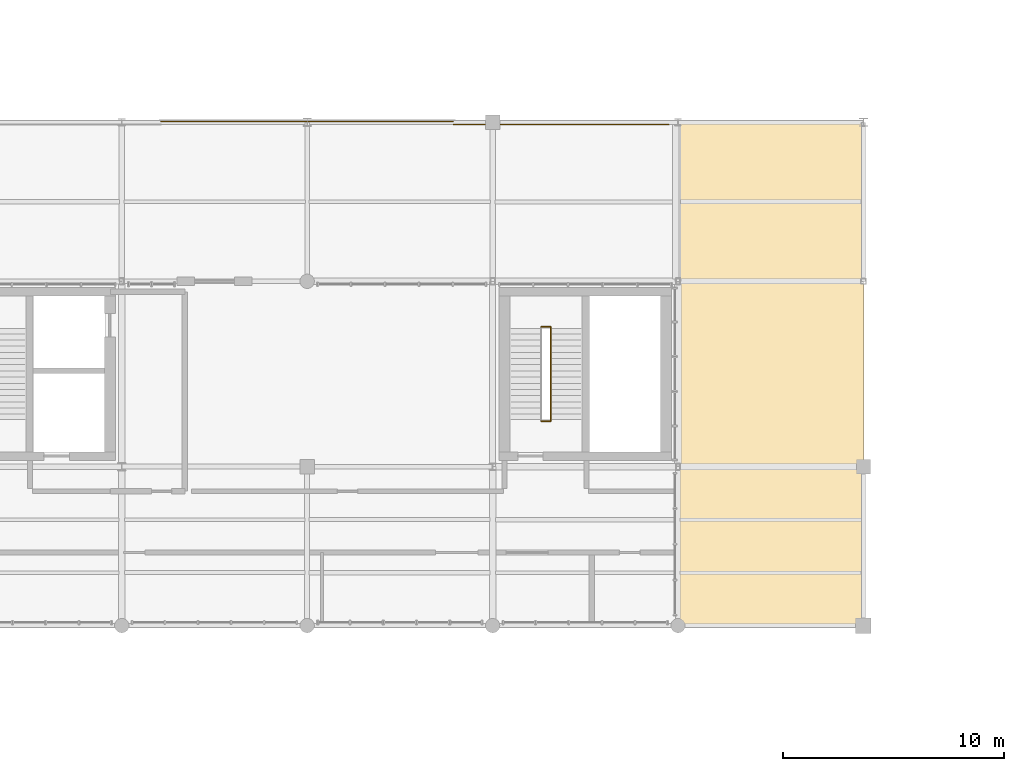
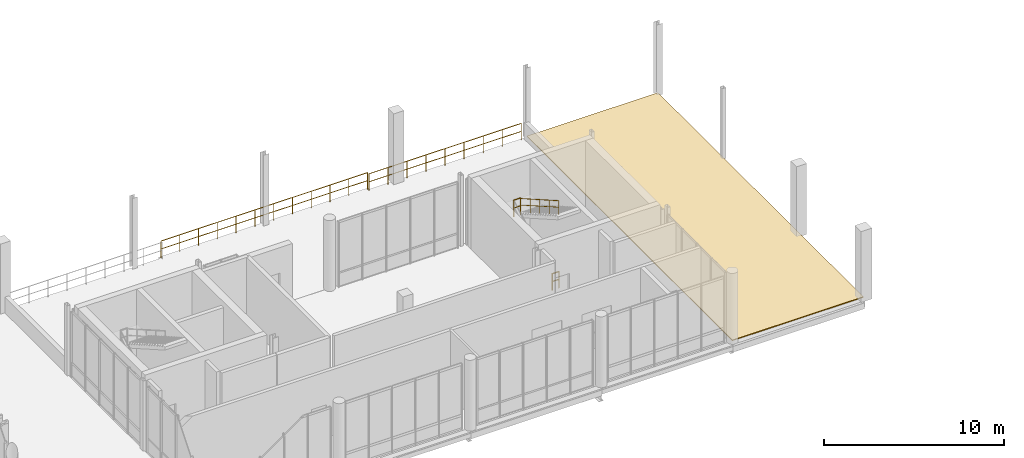
# One storey, part 78 of 81: 5 railings, 1 covering, 1 element without a shape of its own.
"""IFC4 building model written with IfcOpenShell, lengths in metres."""

from ifc_helpers import new_model, si_unit, direction, frame, origin_with_axes, origin_2d_with_axis, place, context, subcontext, project, spatial, polyline, circle, outline, extrude, material, type_object, element, aggregate, save


model = new_model("IFC4")

# Units and contexts
model_context = context("Model", 3, precision=1e-05, world=origin_with_axes(), true_north=direction((0.0, 1.0)))
body_context = subcontext(model_context, "Body", "Model", "MODEL_VIEW")
ifc_project = project(units=[si_unit("LENGTHUNIT", "METRE"), si_unit("AREAUNIT", "SQUARE_METRE"), si_unit("VOLUMEUNIT", "CUBIC_METRE"), si_unit("PLANEANGLEUNIT", "RADIAN"), si_unit("MASSUNIT", "GRAM", prefix="KILO"), si_unit("THERMODYNAMICTEMPERATUREUNIT", "KELVIN")], contexts=[model_context])

# Site, building, storey
site_placement = place(None, origin_with_axes())
site = spatial("IfcSite", under=ifc_project, at=site_placement, CompositionType="ELEMENT")
building_placement = place(site_placement, origin_with_axes())
building = spatial("IfcBuilding", under=site, at=building_placement, Name="Montbau Bow Law Courts", CompositionType="ELEMENT")
storey_placement = place(building_placement, frame((0.0, 0.0, 24.9), z_axis=(0.0, 0.0, 1.0), x_axis=(1.0, 0.0, 0.0)))
storey = spatial("IfcBuildingStorey", under=building, at=storey_placement, Name="L05", CompositionType="ELEMENT", Elevation=24.9)

# Roof, covering
ifc_material_1 = material(Name="Insulated Inverted Membrane Roof", Category="other")
roof_type = type_object("IfcRoofType", Name="RF-FL-01", PredefinedType="FLAT_ROOF", material=ifc_material_1)
roof_placement = place(None, frame((88.804, 39.0, 24.9), z_axis=(0.0, 0.0, 1.0), x_axis=(1.0, 0.0, 0.0)))
roof = element("IfcRoof", 1, at=roof_placement, inside=storey, type_object=roof_type, Name="ROOF-LID-L05-21:rof_0026", PredefinedType="FLAT_ROOF")
ifc_material_2 = material(Name="Standing-Seam Pre-Weathered Zinc Roofing Membrane", Category="steel")
covering_type = type_object("IfcCoveringType", Name="CV-ROF-01", PredefinedType="ROOFING", material=ifc_material_2)
covering_placement = place(None, frame((0.0, 0.0, 24.9), z_axis=(0.0, 0.0, 1.0), x_axis=(1.0, 0.0, 0.0)))
covering = element("IfcCovering", 2, at=covering_placement, type_object=covering_type, Name="CVR-LID-L05-21:cov_0026", PredefinedType="ROOFING", context=body_context, shape_type="SweptSolid", body=[
    extrude(outline(polyline([(97.2, 61.8), (97.2, 39.0), (88.804, 39.0), (88.804, 61.8), (97.2, 61.8)])), origin_with_axes(), (0.0, 0.0, 1.0), 0.06),
])
aggregate(roof, [covering])

# Railings
ifc_material_3 = material(Name="Architectural Bronze-Finished Steel Stair Guard", Category="steel")
railing_type_1 = type_object("IfcRailingType", Name="RL-GRD-1100", PredefinedType="GUARDRAIL", material=ifc_material_3)
railing_1_placement = place(None, origin_with_axes())
element("IfcRailing", 3, at=railing_1_placement, inside=storey, type_object=railing_type_1, Name="SG-ST-P3-L05-ML:rlg_0152", PredefinedType="GUARDRAIL", context=body_context, shape_type="SweptSolid", body=[
    extrude(circle(Radius=0.0225, at=origin_2d_with_axis()), frame((82.61, 52.53, 28.402), z_axis=(1.0, 0.0, 0.0), x_axis=(0.0, 0.0, 1.0)), (0.0, 0.0, 1.0), 0.43),
    extrude(circle(Radius=0.02025, at=origin_2d_with_axis()), frame((82.61, 52.53, 27.872), z_axis=(1.0, 0.0, 0.0), x_axis=(0.0, 0.0, 1.0)), (0.0, 0.0, 1.0), 0.43),
    extrude(circle(Radius=0.02025, at=origin_2d_with_axis()), frame((82.61, 52.53, 27.3), z_axis=(0.0, 0.0, 1.0), x_axis=(1.0, 0.0, 0.0)), (0.0, 0.0, 1.0), 1.07525),
    extrude(circle(Radius=0.02025, at=origin_2d_with_axis()), frame((83.04, 52.53, 27.3), z_axis=(0.0, 0.0, 1.0), x_axis=(1.0, 0.0, 0.0)), (0.0, 0.0, 1.0), 1.07525),
])
railing_2_placement = place(None, origin_with_axes())
element("IfcRailing", 4, at=railing_2_placement, inside=storey, type_object=railing_type_1, Name="SG-ST-P3-L05-BL:rlg_0153", PredefinedType="GUARDRAIL", context=body_context, shape_type="SweptSolid", body=[
    extrude(circle(Radius=0.0225, at=origin_2d_with_axis()), frame((82.61, 48.27, 26.002), z_axis=(1.0, 0.0, 0.0), x_axis=(0.0, 0.0, 1.0)), (0.0, 0.0, 1.0), 0.43),
    extrude(circle(Radius=0.02025, at=origin_2d_with_axis()), frame((82.61, 48.27, 25.472), z_axis=(1.0, 0.0, 0.0), x_axis=(0.0, 0.0, 1.0)), (0.0, 0.0, 1.0), 0.43),
    extrude(circle(Radius=0.02025, at=origin_2d_with_axis()), frame((82.61, 48.27, 24.9), z_axis=(0.0, 0.0, 1.0), x_axis=(1.0, 0.0, 0.0)), (0.0, 0.0, 1.0), 1.07525),
    extrude(circle(Radius=0.02025, at=origin_2d_with_axis()), frame((83.04, 48.27, 24.9), z_axis=(0.0, 0.0, 1.0), x_axis=(1.0, 0.0, 0.0)), (0.0, 0.0, 1.0), 1.07525),
])
ifc_material_4 = material(Name="Brushed Stainless Steel AISI 316L Guardrail", Category="steel")
railing_type_2 = type_object("IfcRailingType", Name="RL-GRD-1120", PredefinedType="GUARDRAIL", material=ifc_material_4)
railing_3_placement = place(None, origin_with_axes())
element("IfcRailing", 5, at=railing_3_placement, inside=storey, type_object=railing_type_2, Name="GRD-TER-L05-V3-4:rlg_0018", PredefinedType="GUARDRAIL", context=body_context, shape_type="SweptSolid", body=[
    extrude(circle(Radius=0.025, at=origin_2d_with_axis()), frame((65.38, 61.84, 26.022), z_axis=(1.0, 0.0, 0.0), x_axis=(0.0, 0.0, 1.0)), (0.0, 0.0, 1.0), 13.24),
    extrude(circle(Radius=0.022500000000000003, at=origin_2d_with_axis()), frame((65.38, 61.84, 25.4824), z_axis=(1.0, 0.0, 0.0), x_axis=(0.0, 0.0, 1.0)), (0.0, 0.0, 1.0), 13.24),
    extrude(circle(Radius=0.022500000000000003, at=origin_2d_with_axis()), frame((65.38, 61.84, 24.9), z_axis=(0.0, 0.0, 1.0), x_axis=(1.0, 0.0, 0.0)), (0.0, 0.0, 1.0), 1.0925),
    extrude(circle(Radius=0.022500000000000003, at=origin_2d_with_axis()), frame((66.583636, 61.84, 24.9), z_axis=(0.0, 0.0, 1.0), x_axis=(1.0, 0.0, 0.0)), (0.0, 0.0, 1.0), 1.0925),
    extrude(circle(Radius=0.022500000000000003, at=origin_2d_with_axis()), frame((67.787273, 61.84, 24.9), z_axis=(0.0, 0.0, 1.0), x_axis=(1.0, 0.0, 0.0)), (0.0, 0.0, 1.0), 1.0925),
    extrude(circle(Radius=0.022500000000000003, at=origin_2d_with_axis()), frame((68.990909, 61.84, 24.9), z_axis=(0.0, 0.0, 1.0), x_axis=(1.0, 0.0, 0.0)), (0.0, 0.0, 1.0), 1.0925),
    extrude(circle(Radius=0.022500000000000003, at=origin_2d_with_axis()), frame((70.194545, 61.84, 24.9), z_axis=(0.0, 0.0, 1.0), x_axis=(1.0, 0.0, 0.0)), (0.0, 0.0, 1.0), 1.0925),
    extrude(circle(Radius=0.022500000000000003, at=origin_2d_with_axis()), frame((71.398182, 61.84, 24.9), z_axis=(0.0, 0.0, 1.0), x_axis=(1.0, 0.0, 0.0)), (0.0, 0.0, 1.0), 1.0925),
    extrude(circle(Radius=0.022500000000000003, at=origin_2d_with_axis()), frame((72.601818, 61.84, 24.9), z_axis=(0.0, 0.0, 1.0), x_axis=(1.0, 0.0, 0.0)), (0.0, 0.0, 1.0), 1.0925),
    extrude(circle(Radius=0.022500000000000003, at=origin_2d_with_axis()), frame((73.805455, 61.84, 24.9), z_axis=(0.0, 0.0, 1.0), x_axis=(1.0, 0.0, 0.0)), (0.0, 0.0, 1.0), 1.0925),
    extrude(circle(Radius=0.022500000000000003, at=origin_2d_with_axis()), frame((75.009091, 61.84, 24.9), z_axis=(0.0, 0.0, 1.0), x_axis=(1.0, 0.0, 0.0)), (0.0, 0.0, 1.0), 1.0925),
    extrude(circle(Radius=0.022500000000000003, at=origin_2d_with_axis()), frame((76.212727, 61.84, 24.9), z_axis=(0.0, 0.0, 1.0), x_axis=(1.0, 0.0, 0.0)), (0.0, 0.0, 1.0), 1.0925),
    extrude(circle(Radius=0.022500000000000003, at=origin_2d_with_axis()), frame((77.416364, 61.84, 24.9), z_axis=(0.0, 0.0, 1.0), x_axis=(1.0, 0.0, 0.0)), (0.0, 0.0, 1.0), 1.0925),
    extrude(circle(Radius=0.022500000000000003, at=origin_2d_with_axis()), frame((78.62, 61.84, 24.9), z_axis=(0.0, 0.0, 1.0), x_axis=(1.0, 0.0, 0.0)), (0.0, 0.0, 1.0), 1.0925),
])
railing_4_placement = place(None, origin_with_axes())
element("IfcRailing", 6, at=railing_4_placement, inside=storey, type_object=railing_type_2, Name="GRD-TER-L05-V3-6:rlg_0019", PredefinedType="GUARDRAIL", context=body_context, shape_type="SweptSolid", body=[
    extrude(circle(Radius=0.025, at=origin_2d_with_axis()), frame((78.62, 61.7, 26.022), z_axis=(1.0, 0.0, 0.0), x_axis=(0.0, 0.0, 1.0)), (0.0, 0.0, 1.0), 9.764),
    extrude(circle(Radius=0.022500000000000003, at=origin_2d_with_axis()), frame((78.62, 61.7, 25.4824), z_axis=(1.0, 0.0, 0.0), x_axis=(0.0, 0.0, 1.0)), (0.0, 0.0, 1.0), 9.764),
    extrude(circle(Radius=0.022500000000000003, at=origin_2d_with_axis()), frame((78.62, 61.7, 24.9), z_axis=(0.0, 0.0, 1.0), x_axis=(1.0, 0.0, 0.0)), (0.0, 0.0, 1.0), 1.0925),
    extrude(circle(Radius=0.022500000000000003, at=origin_2d_with_axis()), frame((79.8405, 61.7, 24.9), z_axis=(0.0, 0.0, 1.0), x_axis=(1.0, 0.0, 0.0)), (0.0, 0.0, 1.0), 1.0925),
    extrude(circle(Radius=0.022500000000000003, at=origin_2d_with_axis()), frame((81.061, 61.7, 24.9), z_axis=(0.0, 0.0, 1.0), x_axis=(1.0, 0.0, 0.0)), (0.0, 0.0, 1.0), 1.0925),
    extrude(circle(Radius=0.022500000000000003, at=origin_2d_with_axis()), frame((82.2815, 61.7, 24.9), z_axis=(0.0, 0.0, 1.0), x_axis=(1.0, 0.0, 0.0)), (0.0, 0.0, 1.0), 1.0925),
    extrude(circle(Radius=0.022500000000000003, at=origin_2d_with_axis()), frame((83.502, 61.7, 24.9), z_axis=(0.0, 0.0, 1.0), x_axis=(1.0, 0.0, 0.0)), (0.0, 0.0, 1.0), 1.0925),
    extrude(circle(Radius=0.022500000000000003, at=origin_2d_with_axis()), frame((84.7225, 61.7, 24.9), z_axis=(0.0, 0.0, 1.0), x_axis=(1.0, 0.0, 0.0)), (0.0, 0.0, 1.0), 1.0925),
    extrude(circle(Radius=0.022500000000000003, at=origin_2d_with_axis()), frame((85.943, 61.7, 24.9), z_axis=(0.0, 0.0, 1.0), x_axis=(1.0, 0.0, 0.0)), (0.0, 0.0, 1.0), 1.0925),
    extrude(circle(Radius=0.022500000000000003, at=origin_2d_with_axis()), frame((87.1635, 61.7, 24.9), z_axis=(0.0, 0.0, 1.0), x_axis=(1.0, 0.0, 0.0)), (0.0, 0.0, 1.0), 1.0925),
    extrude(circle(Radius=0.022500000000000003, at=origin_2d_with_axis()), frame((88.384, 61.7, 24.9), z_axis=(0.0, 0.0, 1.0), x_axis=(1.0, 0.0, 0.0)), (0.0, 0.0, 1.0), 1.0925),
])
ifc_material_5 = material(Name="White-Oak and Stainless Continuous Stair Handrail", Category="steel")
railing_type_3 = type_object("IfcRailingType", Name="RL-HND-0920", PredefinedType="HANDRAIL", material=ifc_material_5)
railing_5_placement = place(None, origin_with_axes())
element("IfcRailing", 7, at=railing_5_placement, inside=storey, type_object=railing_type_3, Name="HR-ST-P3-L05-2:rlg_0155", PredefinedType="HANDRAIL", context=body_context, shape_type="SweptSolid", body=[
    extrude(circle(Radius=0.021, at=origin_2d_with_axis()), frame((83.04, 52.5, 28.382), z_axis=(0.0, -0.868243142, 0.496138938), x_axis=(0.0, 0.496138938, 0.868243142)), (0.0, 0.0, 1.0), 4.837355),
    extrude(circle(Radius=0.0189, at=origin_2d_with_axis()), frame((83.04, 52.5, 27.9384), z_axis=(0.0, -0.868243142, 0.496138938), x_axis=(0.0, 0.496138938, 0.868243142)), (0.0, 0.0, 1.0), 4.837355),
    extrude(circle(Radius=0.0189, at=origin_2d_with_axis()), frame((83.04, 52.5, 27.46), z_axis=(0.0, 0.0, 1.0), x_axis=(1.0, 0.0, 0.0)), (0.0, 0.0, 1.0), 0.8969),
    extrude(circle(Radius=0.0189, at=origin_2d_with_axis()), frame((83.04, 51.45, 28.06), z_axis=(0.0, 0.0, 1.0), x_axis=(1.0, 0.0, 0.0)), (0.0, 0.0, 1.0), 0.8969),
    extrude(circle(Radius=0.0189, at=origin_2d_with_axis()), frame((83.04, 50.4, 28.66), z_axis=(0.0, 0.0, 1.0), x_axis=(1.0, 0.0, 0.0)), (0.0, 0.0, 1.0), 0.8969),
    extrude(circle(Radius=0.0189, at=origin_2d_with_axis()), frame((83.04, 49.35, 29.26), z_axis=(0.0, 0.0, 1.0), x_axis=(1.0, 0.0, 0.0)), (0.0, 0.0, 1.0), 0.8969),
    extrude(circle(Radius=0.0189, at=origin_2d_with_axis()), frame((83.04, 48.3, 29.86), z_axis=(0.0, 0.0, 1.0), x_axis=(1.0, 0.0, 0.0)), (0.0, 0.0, 1.0), 0.8969),
])

save(model, "model.ifc")
